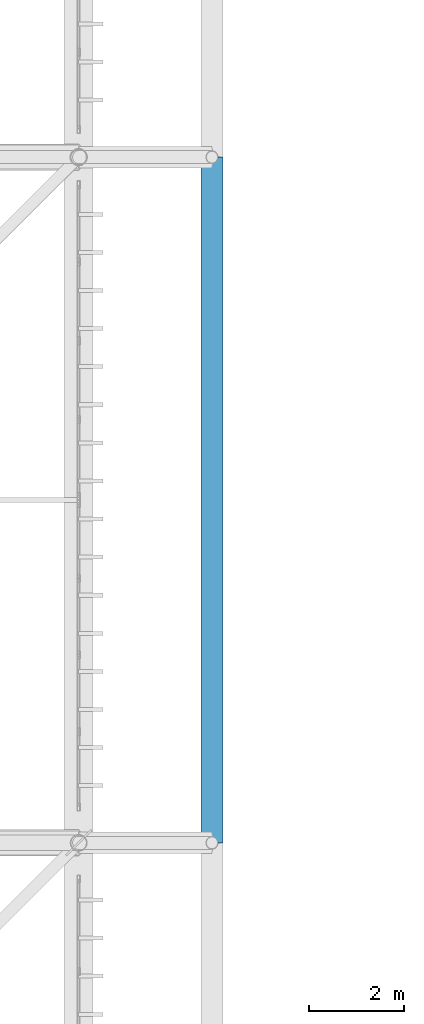
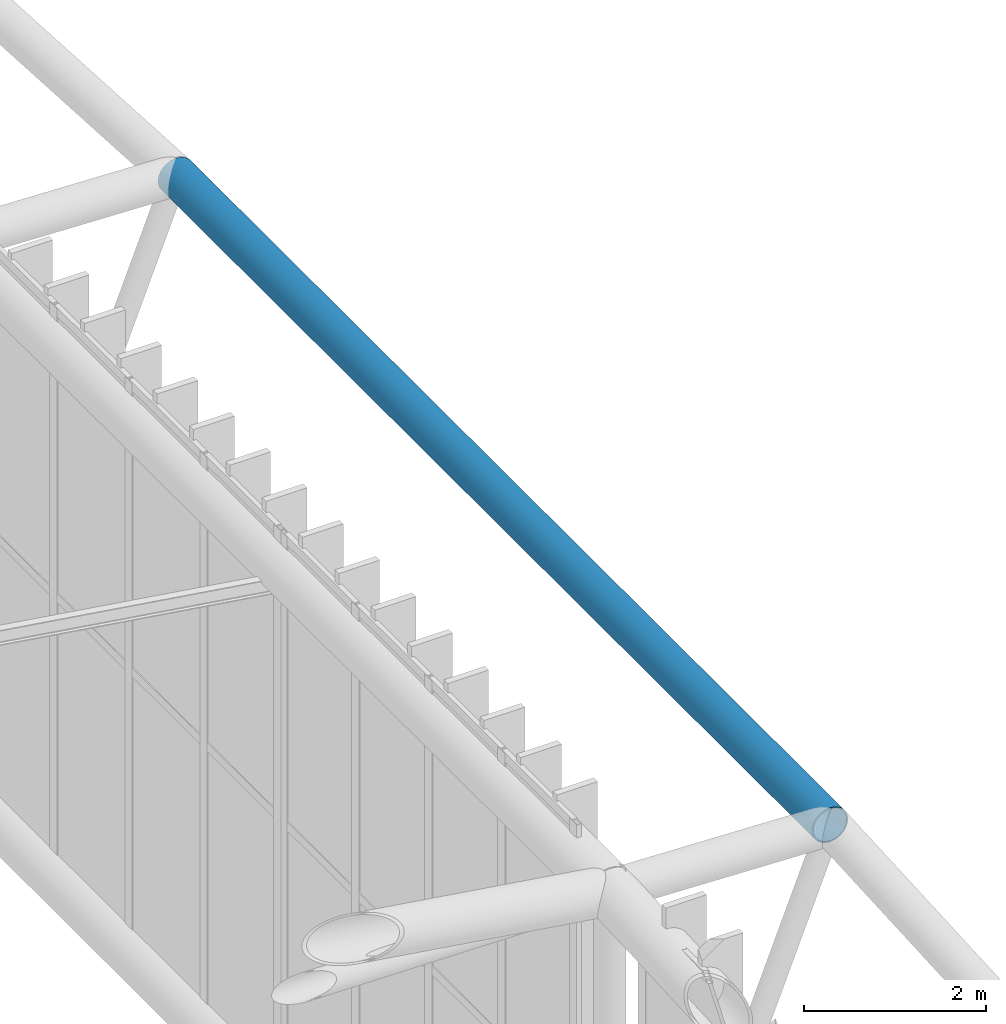
# One storey, part 281 of 397: 1 beam.
"""IFC4 building model written with IfcOpenShell, lengths in metres."""

from ifc_helpers import new_model, si_unit, direction, frame, origin, origin_2d, place, context, subcontext, project, spatial, hollow_circle, extrude, material, material_profile, profile_set, type_object, element, save


model = new_model("IFC4")

# Units and contexts
model_context = context("Model", 3, precision=1e-05, world=origin(), true_north=direction((0.0, 1.0)))
body_context = subcontext(model_context, "Body", "Model", "MODEL_VIEW")
ifc_project = project(units=[si_unit("LENGTHUNIT", "METRE"), si_unit("AREAUNIT", "SQUARE_METRE"), si_unit("VOLUMEUNIT", "CUBIC_METRE"), si_unit("PLANEANGLEUNIT", "RADIAN"), si_unit("MASSUNIT", "GRAM", prefix="KILO")], contexts=[model_context])

# Site, building, storey
site_placement = place(None, origin())
site = spatial("IfcSite", under=ifc_project, at=site_placement, CompositionType="ELEMENT")
building_placement = place(site_placement, origin())
building = spatial("IfcBuilding", under=site, at=building_placement, Name="Qandorah Velis Arena", CompositionType="ELEMENT")
storey_placement = place(building_placement, frame((0.0, 0.0, 27.5)))
storey = spatial("IfcBuildingStorey", under=building, at=storey_placement, Name="RF", CompositionType="ELEMENT", Elevation=27.5)

# Beam
ifc_material = material(Name="Steel S355", Category="steel")
ifc_material_profile = material_profile(ifc_material, hollow_circle(Radius=0.228515625, WallThickness=0.01611328125, at=origin_2d()), Name="CHS 457x16")
ifc_profile_set = profile_set([ifc_material_profile], Name="Steel S355")
beam_type = type_object("IfcBeamType", Name="STR-SFC-CHS457X16", PredefinedType="USERDEFINED", material=ifc_profile_set)
beam_placement = place(storey_placement, frame((118.0, 57.60009765625, 7.170654296875), z_axis=(0.0, 1.0, 0.0), x_axis=(-1.0, 0.0, 0.0)))
element("IfcBeam", 1, at=beam_placement, inside=storey, type_object=beam_type, Name="Space frame eave fascia ring E-3", ObjectType="ROOF TRUSS", PredefinedType="USERDEFINED", context=body_context, shape_type="SweptSolid", body=[
    extrude(hollow_circle(Radius=0.228515625, WallThickness=0.01611328125, at=origin_2d()), origin(), (0.0, 0.0, 1.0), 14.39990234375),
])

save(model, "model.ifc")
